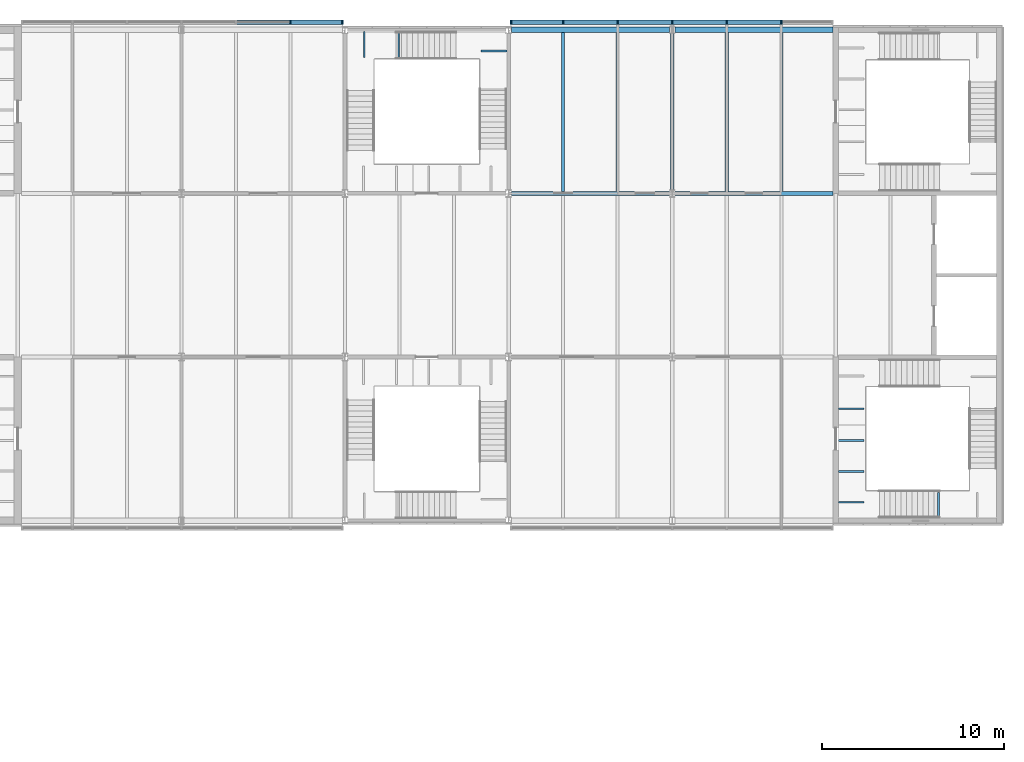
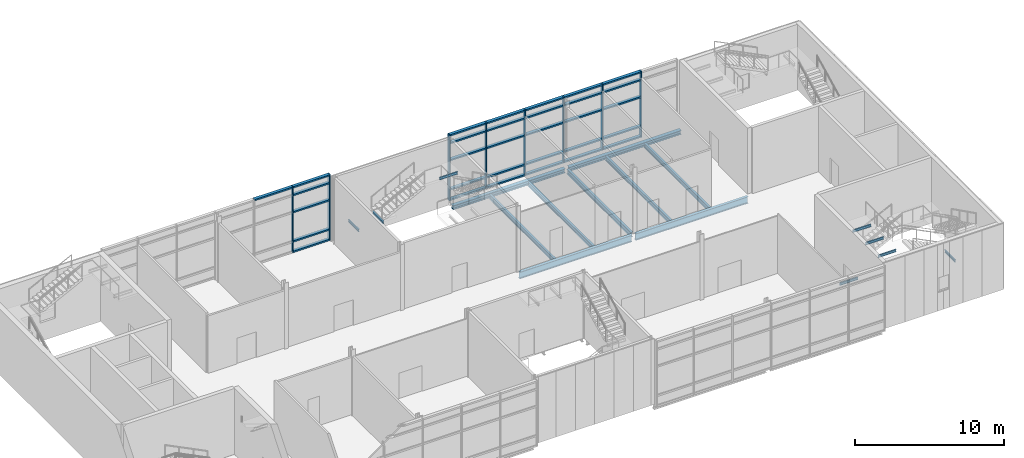
# One storey, part 27 of 56: 39 members, 17 beams, 2 elements without a shape of their own.
"""IFC4 building model written with IfcOpenShell, lengths in metres."""

import ifcopenshell
import ifcopenshell.guid

model = None  # the IFC model being written
_history = None  # IfcOwnerHistory: only IFC2X3 demands one
_inside = {}  # id of a spatial element -> (the spatial element, [elements in it])
_under = {}  # id of a project, library or spatial element -> (it, [spatial elements below it])
_declared = {}  # id of a project -> (the project, [libraries it declares])
_typed = {}  # id of a type object -> (the type object, [elements of that type])
_made_of = {}  # id of a material, layer set ... -> (it, [elements and type objects made of it])


def new_model(schema):
    """Start an empty IFC model of exactly this schema.

    Asked for "IFC4X3", IfcOpenShell would pick the latest addendum, in which some entities
    have other attributes; the version numbers below select the first issue.
    IFC2X3 requires an IfcOwnerHistory on every rooted entity: one is made here for all.
    """
    global model, _history
    if schema == "IFC4X3":
        model = ifcopenshell.file(schema_version=(4, 3, 0, 0))
    else:
        model = ifcopenshell.file(schema=schema)
    _inside.clear()
    _under.clear()
    _declared.clear()
    _typed.clear()
    _made_of.clear()
    _history = None
    if model.schema == "IFC2X3":
        org = make("IfcOrganization", Name="unknown")
        user = make(
            "IfcPersonAndOrganization",
            ThePerson=make("IfcPerson", FamilyName="unknown"),
            TheOrganization=org,
        )
        app = make(
            "IfcApplication",
            ApplicationDeveloper=org,
            Version="unknown",
            ApplicationFullName="unknown",
            ApplicationIdentifier="unknown",
        )
        _history = make(
            "IfcOwnerHistory",
            OwningUser=user,
            OwningApplication=app,
            ChangeAction="ADDED",
            CreationDate=0,
        )
    return model


def make(cls, **values):
    """One entity of the class cls with the attributes given. An attribute that is None is left unset."""
    return model.create_entity(
        cls, **{name: value for name, value in values.items() if value is not None}
    )


def rooted(cls, **values):
    """An entity with a GlobalId (a new one), such as an element, a storey or a relation."""
    return make(cls, GlobalId=ifcopenshell.guid.new(), OwnerHistory=_history, **values)


def si_unit(unit_type, name, prefix=None):
    """IfcSIUnit, for example si_unit("LENGTHUNIT", "METRE", prefix="MILLI")."""
    return make("IfcSIUnit", UnitType=unit_type, Prefix=prefix, Name=name)


def assignment(units):
    """IfcUnitAssignment: the units of a project."""
    return None if units is None else make("IfcUnitAssignment", Units=units)


def point(xyz):
    """IfcCartesianPoint."""
    return None if xyz is None else make("IfcCartesianPoint", Coordinates=xyz)


def direction(xyz):
    """IfcDirection."""
    return None if xyz is None else make("IfcDirection", DirectionRatios=xyz)


def frame(location, z_axis=None, x_axis=None):
    """IfcAxis2Placement3D, a coordinate frame: its origin and axes. An axis left out is left unset."""
    return make(
        "IfcAxis2Placement3D",
        Location=point(location),
        Axis=direction(z_axis),
        RefDirection=direction(x_axis),
    )


def frame_2d(location, x_axis=None):
    """IfcAxis2Placement2D, a coordinate frame in the plane: its origin and x axis."""
    return make(
        "IfcAxis2Placement2D", Location=point(location), RefDirection=direction(x_axis)
    )


def origin():
    """The frame at (0, 0, 0) with its axes left unset."""
    return frame((0.0, 0.0, 0.0))


def origin_2d():
    """The frame at (0, 0) in the plane with its x axis left unset."""
    return frame_2d((0.0, 0.0))


def place(relative_to, where):
    """IfcLocalPlacement: puts the frame where relative to a parent placement (None: the world)."""
    return make(
        "IfcLocalPlacement", PlacementRelTo=relative_to, RelativePlacement=where
    )


def context(
    kind, dimensions, precision=None, world=None, true_north=None, identifier=None
):
    """IfcGeometricRepresentationContext, for example the 3D "Model" context."""
    return make(
        "IfcGeometricRepresentationContext",
        ContextIdentifier=identifier,
        ContextType=kind,
        CoordinateSpaceDimension=dimensions,
        Precision=precision,
        WorldCoordinateSystem=world,
        TrueNorth=true_north,
    )


def subcontext(parent, identifier, kind, view, scale=None):
    """IfcGeometricRepresentationSubContext, for example "Body" below "Model"."""
    return make(
        "IfcGeometricRepresentationSubContext",
        ContextIdentifier=identifier,
        ContextType=kind,
        ParentContext=parent,
        TargetScale=scale,
        TargetView=view,
    )


def project(units=None, contexts=None):
    """IfcProject with its units and contexts."""
    return rooted(
        "IfcProject",
        Name="project",
        RepresentationContexts=contexts,
        UnitsInContext=assignment(units),
    )


def spatial(cls, under=None, at=None, **own):
    """A site, building, storey or space (cls), placed at a placement, below another one or the project."""
    s = rooted(cls, ObjectPlacement=at, **own)
    if under is not None:
        _under.setdefault(under.id(), (under, []))[1].append(s)
    return s


def profile(cls, at=None, kind="AREA", **sizes):
    """A parametric profile (cls). Its sizes go by their IFC names, for example OverallWidth=200.0."""
    return make(cls, ProfileType=kind, Position=at, **sizes)


def rectangle(**sizes):
    """IfcRectangleProfileDef."""
    return profile("IfcRectangleProfileDef", **sizes)


def i_section(**sizes):
    """IfcIShapeProfileDef."""
    return profile("IfcIShapeProfileDef", **sizes)


def extrude(swept, where, along, depth):
    """IfcExtrudedAreaSolid: the profile swept, set in the frame where, extruded along a direction by depth."""
    return make(
        "IfcExtrudedAreaSolid",
        SweptArea=swept,
        Position=where,
        ExtrudedDirection=direction(along),
        Depth=depth,
    )


def shape(context_of_items, identifier, shape_type, items):
    """IfcShapeRepresentation: the items that make up one representation, for example the "Body"."""
    return make(
        "IfcShapeRepresentation",
        ContextOfItems=context_of_items,
        RepresentationIdentifier=identifier,
        RepresentationType=shape_type,
        Items=items,
    )


def material(Name=None, Category=None):
    """IfcMaterial."""
    return make("IfcMaterial", Name=Name, Category=Category)


def material_profile(
    of_material, cross_section, Name=None, Category=None, Priority=None
):
    """IfcMaterialProfile: a cross section and its material."""
    return make(
        "IfcMaterialProfile",
        Name=Name,
        Material=of_material,
        Profile=cross_section,
        Priority=Priority,
        Category=Category,
    )


def profile_set(profiles, Name=None, composite=None):
    """IfcMaterialProfileSet."""
    return make(
        "IfcMaterialProfileSet",
        Name=Name,
        MaterialProfiles=profiles,
        CompositeProfile=composite,
    )


def made_of(thing, what):
    """Note that an element or type object is made of a material, layer set ...; save() writes the relation."""
    if what is not None:
        _made_of.setdefault(what.id(), (what, []))[1].append(thing)
    return thing


def type_object(cls, material=None, **own):
    """A type object (cls), such as IfcWallType, which elements share."""
    return made_of(rooted(cls, **own), material)


def element(
    cls,
    number,
    at=None,
    inside=None,
    cuts=None,
    type_object=None,
    material=None,
    context=None,
    identifier="Body",
    shape_type=None,
    held_by="IfcProductDefinitionShape",
    body=None,
    shapes=None,
    **own,
):
    """One element of the class cls, such as IfcWall. Its Tag is "e" and its number.

    at: its placement. inside: the storey or other place that contains it. cuts: it is an
    opening in that element (IfcRelVoidsElement). A single representation is given by context,
    identifier, shape_type and body (its items); several are given by shapes. held_by: the class
    of the entity that holds the representations. save() writes the other relations.
    """
    e = rooted(cls, Tag="e%d" % number, ObjectPlacement=at, **own)
    if body is not None:
        shapes = [shape(context, identifier, shape_type, body)]
    if shapes is not None:
        e.Representation = make(held_by, Representations=shapes)
    if inside is not None:
        _inside.setdefault(inside.id(), (inside, []))[1].append(e)
    if cuts is not None:
        rooted(
            "IfcRelVoidsElement", RelatingBuildingElement=cuts, RelatedOpeningElement=e
        )
    if type_object is not None:
        _typed.setdefault(type_object.id(), (type_object, []))[1].append(e)
    return made_of(e, material)


def aggregate(whole, parts):
    """IfcRelAggregates: a whole, such as a stair, and the parts it consists of."""
    return rooted("IfcRelAggregates", RelatingObject=whole, RelatedObjects=parts)


def save(model, path):
    """Write the relations noted so far, then the file.

    IfcRelAggregates (storeys below a building ...), IfcRelContainedInSpatialStructure (elements
    in a storey), IfcRelDefinesByType, IfcRelAssociatesMaterial and IfcRelDeclares: one each for
    every whole, place, type object, material and project.
    """
    for whole, parts in _under.values():
        aggregate(whole, parts)
    for where, things in _inside.values():
        rooted(
            "IfcRelContainedInSpatialStructure",
            RelatedElements=things,
            RelatingStructure=where,
        )
    for kind, things in _typed.values():
        rooted("IfcRelDefinesByType", RelatedObjects=things, RelatingType=kind)
    for what, things in _made_of.values():
        rooted("IfcRelAssociatesMaterial", RelatedObjects=things, RelatingMaterial=what)
    for by, libraries in _declared.values():
        rooted("IfcRelDeclares", RelatingContext=by, RelatedDefinitions=libraries)
    model.write(path)


model = new_model("IFC4")

# Units and contexts
model_context = context("Model", 3, precision=1e-05, world=origin(), true_north=direction((0.0, 1.0)))
body_context = subcontext(model_context, "Body", "Model", "MODEL_VIEW")
ifc_project = project(units=[si_unit("LENGTHUNIT", "METRE"), si_unit("AREAUNIT", "SQUARE_METRE"), si_unit("VOLUMEUNIT", "CUBIC_METRE"), si_unit("PLANEANGLEUNIT", "RADIAN"), si_unit("MASSUNIT", "GRAM", prefix="KILO")], contexts=[model_context])

# Site, building, storey
site_placement = place(None, origin())
site = spatial("IfcSite", under=ifc_project, at=site_placement, CompositionType="ELEMENT")
building_placement = place(site_placement, origin())
building = spatial("IfcBuilding", under=site, at=building_placement, Name="Azimuth Sports and Learning Centre", CompositionType="ELEMENT")
storey_placement = place(building_placement, frame((0.0, 0.0, 5.39990234375)))
storey = spatial("IfcBuildingStorey", under=building, at=storey_placement, Name="L01", CompositionType="ELEMENT", Elevation=5.39990234375)

# Beams
ifc_material_1 = material(Name="Steel S355", Category="steel")
ifc_material_profile_1 = material_profile(ifc_material_1, i_section(OverallWidth=0.10009765625, OverallDepth=0.199951171875, WebThickness=0.005615234375, FlangeThickness=0.008544921875, FilletRadius=0.011962890625, at=origin_2d()), Name="IPE 200")
ifc_profile_set_1 = profile_set([ifc_material_profile_1], Name="Steel S355")
beam_type_1 = type_object("IfcBeamType", Name="Beam IPE 200", PredefinedType="BEAM", material=ifc_profile_set_1)
for number, where, z_axis, x_axis, name in (
    (1, (162.14990234375, 96.15380859375, -0.2998046875), (1.0, 0.0, 0.0), (0.0, 1.0, 0.0), "Landing bracket EW1 L01 788"),
    (2, (167.652587890625, 90.14990234375, 3.300048828125), (0.0, 1.0, 0.0), (-1.0, 0.0, 0.0), "Landing bracket EW1 L01 792"),
    (3, (162.14990234375, 91.00830078125, 5.10009765625), (1.0, 0.0, 0.0), (0.0, 1.0, 0.0), "Landing bracket EW1 L01 794"),
    (4, (162.14990234375, 92.705078125, 5.10009765625), (1.0, 0.0, 0.0), (0.0, 1.0, 0.0), "Landing bracket EW1 L01 795"),
    (5, (162.14990234375, 94.401611328125, 5.10009765625), (1.0, 0.0, 0.0), (0.0, 1.0, 0.0), "Landing bracket EW1 L01 796"),
):
    element("IfcBeam", number, at=place(storey_placement, frame(where, z_axis=z_axis, x_axis=x_axis)), inside=storey, type_object=beam_type_1, Name=name, PredefinedType="BEAM", context=body_context, shape_type="SweptSolid", body=[
        extrude(i_section(OverallWidth=0.10009765625, OverallDepth=0.199951171875, WebThickness=0.005615234375, FlangeThickness=0.008544921875, FilletRadius=0.011962890625, at=origin_2d()), origin(), (0.0, 0.0, 1.0), 1.41015625),
    ])
for number, where, z_axis, x_axis, name in (
    (6, (136.06005859375, 116.89990234375, 1.5), (0.0, -1.0, 0.0), (1.0, 0.0, 0.0), "Landing bracket EM2 L01 960"),
    (7, (137.9599609375, 116.89990234375, 1.5), (0.0, -1.0, 0.0), (1.0, 0.0, 0.0), "Landing bracket EM2 L01 961"),
    (8, (143.89990234375, 115.827392578125, 3.300048828125), (-1.0, 0.0, 0.0), (0.0, -1.0, 0.0), "Landing bracket EM2 L01 963"),
):
    element("IfcBeam", number, at=place(storey_placement, frame(where, z_axis=z_axis, x_axis=x_axis)), inside=storey, type_object=beam_type_1, Name=name, PredefinedType="BEAM", context=body_context, shape_type="SweptSolid", body=[
        extrude(i_section(OverallWidth=0.10009765625, OverallDepth=0.199951171875, WebThickness=0.005615234375, FlangeThickness=0.008544921875, FilletRadius=0.011962890625, at=origin_2d()), origin(), (0.0, 0.0, 1.0), 1.409912109375),
    ])
ifc_material_2 = material(Name="Steel S355", Category="steel")
ifc_material_profile_2 = material_profile(ifc_material_2, i_section(OverallWidth=0.179931640625, OverallDepth=0.39990234375, WebThickness=0.008544921875, FlangeThickness=0.013427734375, FilletRadius=0.02099609375, at=origin_2d()), Name="IPE 400")
ifc_profile_set_2 = profile_set([ifc_material_profile_2], Name="Steel S355")
beam_type_2 = type_object("IfcBeamType", Name="Beam IPE 400", PredefinedType="BEAM", material=ifc_profile_set_2)
beam_placement = place(storey_placement, frame((153.0, 108.199951171875, -0.349853515625), z_axis=(0.0, 1.0, 0.0), x_axis=(-1.0, 0.0, 0.0)))
element("IfcBeam", 9, at=beam_placement, inside=storey, type_object=beam_type_2, Name="Beam L01 WE 25", PredefinedType="BEAM", context=body_context, shape_type="SweptSolid", body=[
    extrude(i_section(OverallWidth=0.179931640625, OverallDepth=0.39990234375, WebThickness=0.008544921875, FlangeThickness=0.013427734375, FilletRadius=0.02099609375, at=origin_2d()), origin(), (0.0, 0.0, 1.0), 8.60009765625),
])
ifc_material_3 = material(Name="Steel S355", Category="steel")
ifc_material_profile_3 = material_profile(ifc_material_3, i_section(OverallWidth=0.2099609375, OverallDepth=0.550048828125, WebThickness=0.010986328125, FlangeThickness=0.01708984375, FilletRadius=0.02392578125, at=origin_2d()), Name="IPE 550")
ifc_profile_set_3 = profile_set([ifc_material_profile_3], Name="Steel S355")
beam_type_3 = type_object("IfcBeamType", Name="Beam IPE 550", PredefinedType="BEAM", material=ifc_profile_set_3)
for number, where, z_axis, x_axis, name in (
    (10, (144.14990234375, 108.0, -0.4248046875), (1.0, 0.0, 0.0), (0.0, 1.0, 0.0), "Beam L01 WE 11"),
    (11, (153.14990234375, 108.0, -0.4248046875), (1.0, 0.0, 0.0), (0.0, 1.0, 0.0), "Beam L01 WE 12"),
):
    element("IfcBeam", number, at=place(storey_placement, frame(where, z_axis=z_axis, x_axis=x_axis)), inside=storey, type_object=beam_type_3, Name=name, PredefinedType="BEAM", context=body_context, shape_type="SweptSolid", body=[
        extrude(i_section(OverallWidth=0.2099609375, OverallDepth=0.550048828125, WebThickness=0.010986328125, FlangeThickness=0.01708984375, FilletRadius=0.02392578125, at=origin_2d()), origin(), (0.0, 0.0, 1.0), 8.7001953125),
    ])
ifc_material_4 = material(Name="Steel S355", Category="steel")
ifc_material_profile_4 = material_profile(ifc_material_4, i_section(OverallWidth=0.300048828125, OverallDepth=0.330078125, WebThickness=0.009521484375, FlangeThickness=0.0166015625, FilletRadius=0.027099609375, at=origin_2d()), Name="HEA 340")
ifc_profile_set_4 = profile_set([ifc_material_profile_4], Name="Steel S355")
beam_type_4 = type_object("IfcBeamType", Name="Edge beam HEA 340", PredefinedType="SPANDREL", material=ifc_profile_set_4)
for number, where, z_axis, x_axis, name in (
    (12, (144.14990234375, 117.0, -0.31494140625), (1.0, 0.0, 0.0), (0.0, 1.0, 0.0), "Edge beam L01 WE 15"),
    (13, (153.14990234375, 117.0, -0.31494140625), (1.0, 0.0, 0.0), (0.0, 1.0, 0.0), "Edge beam L01 WE 16"),
):
    element("IfcBeam", number, at=place(storey_placement, frame(where, z_axis=z_axis, x_axis=x_axis)), inside=storey, type_object=beam_type_4, Name=name, PredefinedType="SPANDREL", context=body_context, shape_type="SweptSolid", body=[
        extrude(i_section(OverallWidth=0.300048828125, OverallDepth=0.330078125, WebThickness=0.009521484375, FlangeThickness=0.0166015625, FilletRadius=0.027099609375, at=origin_2d()), origin(), (0.0, 0.0, 1.0), 8.7001953125),
    ])
ifc_material_5 = material(Name="Steel S355", Category="steel")
ifc_material_profile_5 = material_profile(ifc_material_5, i_section(OverallWidth=0.169921875, OverallDepth=0.360107421875, WebThickness=0.008056640625, FlangeThickness=0.0126953125, FilletRadius=0.01806640625, at=origin_2d()), Name="IPE 360")
ifc_profile_set_5 = profile_set([ifc_material_profile_5], Name="Steel S355")
beam_type_5 = type_object("IfcBeamType", Name="Joist IPE 360", PredefinedType="JOIST", material=ifc_profile_set_5)
for number, where, z_axis, x_axis, name in (
    (14, (147.0, 108.10498046875, -0.329833984375), (0.0, 1.0, 0.0), (-1.0, 0.0, 0.0), "Joist L01 WE 43"),
    (15, (150.0, 108.10498046875, -0.329833984375), (0.0, 1.0, 0.0), (-1.0, 0.0, 0.0), "Joist L01 WE 46"),
    (16, (156.0, 108.10498046875, -0.329833984375), (0.0, 1.0, 0.0), (-1.0, 0.0, 0.0), "Joist L01 WE 49"),
    (17, (159.0, 108.10498046875, -0.329833984375), (0.0, 1.0, 0.0), (-1.0, 0.0, 0.0), "Joist L01 WE 52"),
):
    element("IfcBeam", number, at=place(storey_placement, frame(where, z_axis=z_axis, x_axis=x_axis)), inside=storey, type_object=beam_type_5, Name=name, PredefinedType="JOIST", context=body_context, shape_type="SweptSolid", body=[
        extrude(i_section(OverallWidth=0.169921875, OverallDepth=0.360107421875, WebThickness=0.008056640625, FlangeThickness=0.0126953125, FilletRadius=0.01806640625, at=origin_2d()), origin(), (0.0, 0.0, 1.0), 8.7451171875),
    ])

# Curtain wall, members
ifc_material_6 = material(Name="Aluminium and glass", Category="aluminium")
curtain_wall_type = type_object("IfcCurtainWallType", Name="Curtain wall podium wing 240", PredefinedType="NOTDEFINED", material=ifc_material_6)
curtain_wall_1_placement = place(storey_placement, origin())
curtain_wall_1 = element("IfcCurtainWall", 18, at=curtain_wall_1_placement, inside=storey, type_object=curtain_wall_type, Name="Curtain wall CW01-011", PredefinedType="NOTDEFINED")
ifc_material_7 = material(Name="Aluminium", Category="aluminium")
ifc_material_profile_6 = material_profile(ifc_material_7, rectangle(XDim=0.239990234375, YDim=0.080078125, at=origin_2d()), Name="Mullion 80x240")
ifc_profile_set_6 = profile_set([ifc_material_profile_6], Name="Aluminium")
member_type_1 = type_object("IfcMemberType", Name="Mullion 80x240", PredefinedType="MULLION", material=ifc_profile_set_6)
member_1_placement = place(storey_placement, frame((159.0, 117.419921875, 0.0), z_axis=(0.0, 0.0, 1.0), x_axis=(0.0, -1.0, 0.0)))
member_1 = element("IfcMember", 19, at=member_1_placement, type_object=member_type_1, Name="CW01-011 mullion 2", PredefinedType="MULLION", context=body_context, shape_type="SweptSolid", body=[
    extrude(rectangle(XDim=0.239990234375, YDim=0.080078125, at=origin_2d()), origin(), (0.0, 0.0, 1.0), 5.400146484375),
])
member_2_placement = place(storey_placement, frame((156.0, 117.419921875, 0.0), z_axis=(0.0, 0.0, 1.0), x_axis=(0.0, -1.0, 0.0)))
member_2 = element("IfcMember", 20, at=member_2_placement, type_object=member_type_1, Name="CW01-011 mullion 3", PredefinedType="MULLION", context=body_context, shape_type="SweptSolid", body=[
    extrude(rectangle(XDim=0.239990234375, YDim=0.080078125, at=origin_2d()), origin(), (0.0, 0.0, 1.0), 5.400146484375),
])
member_3_placement = place(storey_placement, frame((153.0, 117.419921875, 0.0), z_axis=(0.0, 0.0, 1.0), x_axis=(0.0, -1.0, 0.0)))
member_3 = element("IfcMember", 21, at=member_3_placement, type_object=member_type_1, Name="CW01-011 mullion 4", PredefinedType="MULLION", context=body_context, shape_type="SweptSolid", body=[
    extrude(rectangle(XDim=0.239990234375, YDim=0.080078125, at=origin_2d()), origin(), (0.0, 0.0, 1.0), 5.400146484375),
])
member_4_placement = place(storey_placement, frame((150.0, 117.419921875, 0.0), z_axis=(0.0, 0.0, 1.0), x_axis=(0.0, -1.0, 0.0)))
member_4 = element("IfcMember", 22, at=member_4_placement, type_object=member_type_1, Name="CW01-011 mullion 5", PredefinedType="MULLION", context=body_context, shape_type="SweptSolid", body=[
    extrude(rectangle(XDim=0.239990234375, YDim=0.080078125, at=origin_2d()), origin(), (0.0, 0.0, 1.0), 5.400146484375),
])
member_5_placement = place(storey_placement, frame((147.0, 117.419921875, 0.0), z_axis=(0.0, 0.0, 1.0), x_axis=(0.0, -1.0, 0.0)))
member_5 = element("IfcMember", 23, at=member_5_placement, type_object=member_type_1, Name="CW01-011 mullion 6", PredefinedType="MULLION", context=body_context, shape_type="SweptSolid", body=[
    extrude(rectangle(XDim=0.239990234375, YDim=0.080078125, at=origin_2d()), origin(), (0.0, 0.0, 1.0), 5.400146484375),
])
member_6_placement = place(storey_placement, frame((144.139892578125, 117.419921875, 0.0), z_axis=(0.0, 0.0, 1.0), x_axis=(0.0, -1.0, 0.0)))
member_6 = element("IfcMember", 24, at=member_6_placement, type_object=member_type_1, Name="CW01-011 mullion 7", PredefinedType="MULLION", context=body_context, shape_type="SweptSolid", body=[
    extrude(rectangle(XDim=0.239990234375, YDim=0.080078125, at=origin_2d()), origin(), (0.0, 0.0, 1.0), 5.400146484375),
])

curtain_wall_2_placement = place(storey_placement, origin())
curtain_wall_2 = element("IfcCurtainWall", 25, at=curtain_wall_2_placement, inside=storey, type_object=curtain_wall_type, Name="Curtain wall CW01-012", PredefinedType="NOTDEFINED")
member_7_placement = place(storey_placement, frame((134.860107421875, 117.419921875, 0.0), z_axis=(0.0, 0.0, 1.0), x_axis=(0.0, -1.0, 0.0)))
member_7 = element("IfcMember", 26, at=member_7_placement, type_object=member_type_1, Name="CW01-012 mullion 1", PredefinedType="MULLION", context=body_context, shape_type="SweptSolid", body=[
    extrude(rectangle(XDim=0.239990234375, YDim=0.080078125, at=origin_2d()), origin(), (0.0, 0.0, 1.0), 5.400146484375),
])
member_8_placement = place(storey_placement, frame((132.0, 117.419921875, 0.0), z_axis=(0.0, 0.0, 1.0), x_axis=(0.0, -1.0, 0.0)))
member_8 = element("IfcMember", 27, at=member_8_placement, type_object=member_type_1, Name="CW01-012 mullion 2", PredefinedType="MULLION", context=body_context, shape_type="SweptSolid", body=[
    extrude(rectangle(XDim=0.239990234375, YDim=0.080078125, at=origin_2d()), origin(), (0.0, 0.0, 1.0), 5.400146484375),
])

# Member
ifc_material_8 = material(Name="Aluminium", Category="aluminium")
ifc_material_profile_7 = material_profile(ifc_material_8, rectangle(XDim=0.239990234375, YDim=0.1201171875, at=origin_2d()), Name="Transom 120x240")
ifc_profile_set_7 = profile_set([ifc_material_profile_7], Name="Aluminium")
member_type_2 = type_object("IfcMemberType", Name="Transom 120x240", PredefinedType="USERDEFINED", material=ifc_profile_set_7)
member_9_placement = place(storey_placement, frame((158.9599609375, 117.419921875, 0.06005859375), z_axis=(-1.0, 0.0, 0.0), x_axis=(0.0, -1.0, 0.0)))
member_9 = element("IfcMember", 28, at=member_9_placement, type_object=member_type_2, Name="CW01-011 transom 2.1", ObjectType="TRANSOM", PredefinedType="USERDEFINED", context=body_context, shape_type="SweptSolid", body=[
    extrude(rectangle(XDim=0.239990234375, YDim=0.1201171875, at=origin_2d()), origin(), (0.0, 0.0, 1.0), 2.919921875),
])

member_10_placement = place(storey_placement, frame((158.9599609375, 117.419921875, 0.900146484375), z_axis=(-1.0, 0.0, 0.0), x_axis=(0.0, -1.0, 0.0)))
member_10 = element("IfcMember", 29, at=member_10_placement, type_object=member_type_2, Name="CW01-011 transom 2.2", ObjectType="TRANSOM", PredefinedType="USERDEFINED", context=body_context, shape_type="SweptSolid", body=[
    extrude(rectangle(XDim=0.239990234375, YDim=0.1201171875, at=origin_2d()), origin(), (0.0, 0.0, 1.0), 2.919921875),
])

member_11_placement = place(storey_placement, frame((158.9599609375, 117.419921875, 3.300048828125), z_axis=(-1.0, 0.0, 0.0), x_axis=(0.0, -1.0, 0.0)))
member_11 = element("IfcMember", 30, at=member_11_placement, type_object=member_type_2, Name="CW01-011 transom 2.3", ObjectType="TRANSOM", PredefinedType="USERDEFINED", context=body_context, shape_type="SweptSolid", body=[
    extrude(rectangle(XDim=0.239990234375, YDim=0.1201171875, at=origin_2d()), origin(), (0.0, 0.0, 1.0), 2.919921875),
])

member_12_placement = place(storey_placement, frame((158.9599609375, 117.419921875, 4.7001953125), z_axis=(-1.0, 0.0, 0.0), x_axis=(0.0, -1.0, 0.0)))
member_12 = element("IfcMember", 31, at=member_12_placement, type_object=member_type_2, Name="CW01-011 transom 2.4", ObjectType="TRANSOM", PredefinedType="USERDEFINED", context=body_context, shape_type="SweptSolid", body=[
    extrude(rectangle(XDim=0.239990234375, YDim=0.1201171875, at=origin_2d()), origin(), (0.0, 0.0, 1.0), 2.919921875),
])

member_13_placement = place(storey_placement, frame((158.9599609375, 117.419921875, 5.340087890625), z_axis=(-1.0, 0.0, 0.0), x_axis=(0.0, -1.0, 0.0)))
member_13 = element("IfcMember", 32, at=member_13_placement, type_object=member_type_2, Name="CW01-011 transom 2.5", ObjectType="TRANSOM", PredefinedType="USERDEFINED", context=body_context, shape_type="SweptSolid", body=[
    extrude(rectangle(XDim=0.239990234375, YDim=0.1201171875, at=origin_2d()), origin(), (0.0, 0.0, 1.0), 2.919921875),
])

member_14_placement = place(storey_placement, frame((155.9599609375, 117.419921875, 0.06005859375), z_axis=(-1.0, 0.0, 0.0), x_axis=(0.0, -1.0, 0.0)))
member_14 = element("IfcMember", 33, at=member_14_placement, type_object=member_type_2, Name="CW01-011 transom 3.1", ObjectType="TRANSOM", PredefinedType="USERDEFINED", context=body_context, shape_type="SweptSolid", body=[
    extrude(rectangle(XDim=0.239990234375, YDim=0.1201171875, at=origin_2d()), origin(), (0.0, 0.0, 1.0), 2.919921875),
])

member_15_placement = place(storey_placement, frame((155.9599609375, 117.419921875, 0.900146484375), z_axis=(-1.0, 0.0, 0.0), x_axis=(0.0, -1.0, 0.0)))
member_15 = element("IfcMember", 34, at=member_15_placement, type_object=member_type_2, Name="CW01-011 transom 3.2", ObjectType="TRANSOM", PredefinedType="USERDEFINED", context=body_context, shape_type="SweptSolid", body=[
    extrude(rectangle(XDim=0.239990234375, YDim=0.1201171875, at=origin_2d()), origin(), (0.0, 0.0, 1.0), 2.919921875),
])

member_16_placement = place(storey_placement, frame((155.9599609375, 117.419921875, 3.300048828125), z_axis=(-1.0, 0.0, 0.0), x_axis=(0.0, -1.0, 0.0)))
member_16 = element("IfcMember", 35, at=member_16_placement, type_object=member_type_2, Name="CW01-011 transom 3.3", ObjectType="TRANSOM", PredefinedType="USERDEFINED", context=body_context, shape_type="SweptSolid", body=[
    extrude(rectangle(XDim=0.239990234375, YDim=0.1201171875, at=origin_2d()), origin(), (0.0, 0.0, 1.0), 2.919921875),
])

member_17_placement = place(storey_placement, frame((155.9599609375, 117.419921875, 4.7001953125), z_axis=(-1.0, 0.0, 0.0), x_axis=(0.0, -1.0, 0.0)))
member_17 = element("IfcMember", 36, at=member_17_placement, type_object=member_type_2, Name="CW01-011 transom 3.4", ObjectType="TRANSOM", PredefinedType="USERDEFINED", context=body_context, shape_type="SweptSolid", body=[
    extrude(rectangle(XDim=0.239990234375, YDim=0.1201171875, at=origin_2d()), origin(), (0.0, 0.0, 1.0), 2.919921875),
])

member_18_placement = place(storey_placement, frame((155.9599609375, 117.419921875, 5.340087890625), z_axis=(-1.0, 0.0, 0.0), x_axis=(0.0, -1.0, 0.0)))
member_18 = element("IfcMember", 37, at=member_18_placement, type_object=member_type_2, Name="CW01-011 transom 3.5", ObjectType="TRANSOM", PredefinedType="USERDEFINED", context=body_context, shape_type="SweptSolid", body=[
    extrude(rectangle(XDim=0.239990234375, YDim=0.1201171875, at=origin_2d()), origin(), (0.0, 0.0, 1.0), 2.919921875),
])

member_19_placement = place(storey_placement, frame((152.9599609375, 117.419921875, 0.06005859375), z_axis=(-1.0, 0.0, 0.0), x_axis=(0.0, -1.0, 0.0)))
member_19 = element("IfcMember", 38, at=member_19_placement, type_object=member_type_2, Name="CW01-011 transom 4.1", ObjectType="TRANSOM", PredefinedType="USERDEFINED", context=body_context, shape_type="SweptSolid", body=[
    extrude(rectangle(XDim=0.239990234375, YDim=0.1201171875, at=origin_2d()), origin(), (0.0, 0.0, 1.0), 2.919921875),
])

member_20_placement = place(storey_placement, frame((152.9599609375, 117.419921875, 0.900146484375), z_axis=(-1.0, 0.0, 0.0), x_axis=(0.0, -1.0, 0.0)))
member_20 = element("IfcMember", 39, at=member_20_placement, type_object=member_type_2, Name="CW01-011 transom 4.2", ObjectType="TRANSOM", PredefinedType="USERDEFINED", context=body_context, shape_type="SweptSolid", body=[
    extrude(rectangle(XDim=0.239990234375, YDim=0.1201171875, at=origin_2d()), origin(), (0.0, 0.0, 1.0), 2.919921875),
])

member_21_placement = place(storey_placement, frame((152.9599609375, 117.419921875, 3.300048828125), z_axis=(-1.0, 0.0, 0.0), x_axis=(0.0, -1.0, 0.0)))
member_21 = element("IfcMember", 40, at=member_21_placement, type_object=member_type_2, Name="CW01-011 transom 4.3", ObjectType="TRANSOM", PredefinedType="USERDEFINED", context=body_context, shape_type="SweptSolid", body=[
    extrude(rectangle(XDim=0.239990234375, YDim=0.1201171875, at=origin_2d()), origin(), (0.0, 0.0, 1.0), 2.919921875),
])

member_22_placement = place(storey_placement, frame((152.9599609375, 117.419921875, 4.7001953125), z_axis=(-1.0, 0.0, 0.0), x_axis=(0.0, -1.0, 0.0)))
member_22 = element("IfcMember", 41, at=member_22_placement, type_object=member_type_2, Name="CW01-011 transom 4.4", ObjectType="TRANSOM", PredefinedType="USERDEFINED", context=body_context, shape_type="SweptSolid", body=[
    extrude(rectangle(XDim=0.239990234375, YDim=0.1201171875, at=origin_2d()), origin(), (0.0, 0.0, 1.0), 2.919921875),
])

member_23_placement = place(storey_placement, frame((152.9599609375, 117.419921875, 5.340087890625), z_axis=(-1.0, 0.0, 0.0), x_axis=(0.0, -1.0, 0.0)))
member_23 = element("IfcMember", 42, at=member_23_placement, type_object=member_type_2, Name="CW01-011 transom 4.5", ObjectType="TRANSOM", PredefinedType="USERDEFINED", context=body_context, shape_type="SweptSolid", body=[
    extrude(rectangle(XDim=0.239990234375, YDim=0.1201171875, at=origin_2d()), origin(), (0.0, 0.0, 1.0), 2.919921875),
])

member_24_placement = place(storey_placement, frame((149.9599609375, 117.419921875, 0.06005859375), z_axis=(-1.0, 0.0, 0.0), x_axis=(0.0, -1.0, 0.0)))
member_24 = element("IfcMember", 43, at=member_24_placement, type_object=member_type_2, Name="CW01-011 transom 5.1", ObjectType="TRANSOM", PredefinedType="USERDEFINED", context=body_context, shape_type="SweptSolid", body=[
    extrude(rectangle(XDim=0.239990234375, YDim=0.1201171875, at=origin_2d()), origin(), (0.0, 0.0, 1.0), 2.919921875),
])

member_25_placement = place(storey_placement, frame((149.9599609375, 117.419921875, 0.900146484375), z_axis=(-1.0, 0.0, 0.0), x_axis=(0.0, -1.0, 0.0)))
member_25 = element("IfcMember", 44, at=member_25_placement, type_object=member_type_2, Name="CW01-011 transom 5.2", ObjectType="TRANSOM", PredefinedType="USERDEFINED", context=body_context, shape_type="SweptSolid", body=[
    extrude(rectangle(XDim=0.239990234375, YDim=0.1201171875, at=origin_2d()), origin(), (0.0, 0.0, 1.0), 2.919921875),
])

member_26_placement = place(storey_placement, frame((149.9599609375, 117.419921875, 3.300048828125), z_axis=(-1.0, 0.0, 0.0), x_axis=(0.0, -1.0, 0.0)))
member_26 = element("IfcMember", 45, at=member_26_placement, type_object=member_type_2, Name="CW01-011 transom 5.3", ObjectType="TRANSOM", PredefinedType="USERDEFINED", context=body_context, shape_type="SweptSolid", body=[
    extrude(rectangle(XDim=0.239990234375, YDim=0.1201171875, at=origin_2d()), origin(), (0.0, 0.0, 1.0), 2.919921875),
])

member_27_placement = place(storey_placement, frame((149.9599609375, 117.419921875, 4.7001953125), z_axis=(-1.0, 0.0, 0.0), x_axis=(0.0, -1.0, 0.0)))
member_27 = element("IfcMember", 46, at=member_27_placement, type_object=member_type_2, Name="CW01-011 transom 5.4", ObjectType="TRANSOM", PredefinedType="USERDEFINED", context=body_context, shape_type="SweptSolid", body=[
    extrude(rectangle(XDim=0.239990234375, YDim=0.1201171875, at=origin_2d()), origin(), (0.0, 0.0, 1.0), 2.919921875),
])

member_28_placement = place(storey_placement, frame((149.9599609375, 117.419921875, 5.340087890625), z_axis=(-1.0, 0.0, 0.0), x_axis=(0.0, -1.0, 0.0)))
member_28 = element("IfcMember", 47, at=member_28_placement, type_object=member_type_2, Name="CW01-011 transom 5.5", ObjectType="TRANSOM", PredefinedType="USERDEFINED", context=body_context, shape_type="SweptSolid", body=[
    extrude(rectangle(XDim=0.239990234375, YDim=0.1201171875, at=origin_2d()), origin(), (0.0, 0.0, 1.0), 2.919921875),
])

member_29_placement = place(storey_placement, frame((146.9599609375, 117.419921875, 0.06005859375), z_axis=(-1.0, 0.0, 0.0), x_axis=(0.0, -1.0, 0.0)))
member_29 = element("IfcMember", 48, at=member_29_placement, type_object=member_type_2, Name="CW01-011 transom 6.1", ObjectType="TRANSOM", PredefinedType="USERDEFINED", context=body_context, shape_type="SweptSolid", body=[
    extrude(rectangle(XDim=0.239990234375, YDim=0.1201171875, at=origin_2d()), origin(), (0.0, 0.0, 1.0), 2.780029296875),
])

member_30_placement = place(storey_placement, frame((146.9599609375, 117.419921875, 0.900146484375), z_axis=(-1.0, 0.0, 0.0), x_axis=(0.0, -1.0, 0.0)))
member_30 = element("IfcMember", 49, at=member_30_placement, type_object=member_type_2, Name="CW01-011 transom 6.2", ObjectType="TRANSOM", PredefinedType="USERDEFINED", context=body_context, shape_type="SweptSolid", body=[
    extrude(rectangle(XDim=0.239990234375, YDim=0.1201171875, at=origin_2d()), origin(), (0.0, 0.0, 1.0), 2.780029296875),
])

member_31_placement = place(storey_placement, frame((146.9599609375, 117.419921875, 3.300048828125), z_axis=(-1.0, 0.0, 0.0), x_axis=(0.0, -1.0, 0.0)))
member_31 = element("IfcMember", 50, at=member_31_placement, type_object=member_type_2, Name="CW01-011 transom 6.3", ObjectType="TRANSOM", PredefinedType="USERDEFINED", context=body_context, shape_type="SweptSolid", body=[
    extrude(rectangle(XDim=0.239990234375, YDim=0.1201171875, at=origin_2d()), origin(), (0.0, 0.0, 1.0), 2.780029296875),
])

member_32_placement = place(storey_placement, frame((146.9599609375, 117.419921875, 4.7001953125), z_axis=(-1.0, 0.0, 0.0), x_axis=(0.0, -1.0, 0.0)))
member_32 = element("IfcMember", 51, at=member_32_placement, type_object=member_type_2, Name="CW01-011 transom 6.4", ObjectType="TRANSOM", PredefinedType="USERDEFINED", context=body_context, shape_type="SweptSolid", body=[
    extrude(rectangle(XDim=0.239990234375, YDim=0.1201171875, at=origin_2d()), origin(), (0.0, 0.0, 1.0), 2.780029296875),
])

member_33_placement = place(storey_placement, frame((146.9599609375, 117.419921875, 5.340087890625), z_axis=(-1.0, 0.0, 0.0), x_axis=(0.0, -1.0, 0.0)))
member_33 = element("IfcMember", 52, at=member_33_placement, type_object=member_type_2, Name="CW01-011 transom 6.5", ObjectType="TRANSOM", PredefinedType="USERDEFINED", context=body_context, shape_type="SweptSolid", body=[
    extrude(rectangle(XDim=0.239990234375, YDim=0.1201171875, at=origin_2d()), origin(), (0.0, 0.0, 1.0), 2.780029296875),
])

aggregate(curtain_wall_1, [member_1, member_2, member_3, member_4, member_5, member_6, member_9, member_10, member_11, member_12, member_13, member_14, member_15, member_16, member_17, member_18, member_19, member_20, member_21, member_22, member_23, member_24, member_25, member_26, member_27, member_28, member_29, member_30, member_31, member_32, member_33])

member_34_placement = place(storey_placement, frame((134.820068359375, 117.419921875, 0.06005859375), z_axis=(-1.0, 0.0, 0.0), x_axis=(0.0, -1.0, 0.0)))
member_34 = element("IfcMember", 53, at=member_34_placement, type_object=member_type_2, Name="CW01-012 transom 1.1", ObjectType="TRANSOM", PredefinedType="USERDEFINED", context=body_context, shape_type="SweptSolid", body=[
    extrude(rectangle(XDim=0.239990234375, YDim=0.1201171875, at=origin_2d()), origin(), (0.0, 0.0, 1.0), 2.780029296875),
])

member_35_placement = place(storey_placement, frame((134.820068359375, 117.419921875, 0.900146484375), z_axis=(-1.0, 0.0, 0.0), x_axis=(0.0, -1.0, 0.0)))
member_35 = element("IfcMember", 54, at=member_35_placement, type_object=member_type_2, Name="CW01-012 transom 1.2", ObjectType="TRANSOM", PredefinedType="USERDEFINED", context=body_context, shape_type="SweptSolid", body=[
    extrude(rectangle(XDim=0.239990234375, YDim=0.1201171875, at=origin_2d()), origin(), (0.0, 0.0, 1.0), 2.780029296875),
])

member_36_placement = place(storey_placement, frame((134.820068359375, 117.419921875, 3.300048828125), z_axis=(-1.0, 0.0, 0.0), x_axis=(0.0, -1.0, 0.0)))
member_36 = element("IfcMember", 55, at=member_36_placement, type_object=member_type_2, Name="CW01-012 transom 1.3", ObjectType="TRANSOM", PredefinedType="USERDEFINED", context=body_context, shape_type="SweptSolid", body=[
    extrude(rectangle(XDim=0.239990234375, YDim=0.1201171875, at=origin_2d()), origin(), (0.0, 0.0, 1.0), 2.780029296875),
])

member_37_placement = place(storey_placement, frame((134.820068359375, 117.419921875, 4.7001953125), z_axis=(-1.0, 0.0, 0.0), x_axis=(0.0, -1.0, 0.0)))
member_37 = element("IfcMember", 56, at=member_37_placement, type_object=member_type_2, Name="CW01-012 transom 1.4", ObjectType="TRANSOM", PredefinedType="USERDEFINED", context=body_context, shape_type="SweptSolid", body=[
    extrude(rectangle(XDim=0.239990234375, YDim=0.1201171875, at=origin_2d()), origin(), (0.0, 0.0, 1.0), 2.780029296875),
])

member_38_placement = place(storey_placement, frame((134.820068359375, 117.419921875, 5.340087890625), z_axis=(-1.0, 0.0, 0.0), x_axis=(0.0, -1.0, 0.0)))
member_38 = element("IfcMember", 57, at=member_38_placement, type_object=member_type_2, Name="CW01-012 transom 1.5", ObjectType="TRANSOM", PredefinedType="USERDEFINED", context=body_context, shape_type="SweptSolid", body=[
    extrude(rectangle(XDim=0.239990234375, YDim=0.1201171875, at=origin_2d()), origin(), (0.0, 0.0, 1.0), 2.780029296875),
])

member_39_placement = place(storey_placement, frame((131.9599609375, 117.419921875, 5.340087890625), z_axis=(-1.0, 0.0, 0.0), x_axis=(0.0, -1.0, 0.0)))
member_39 = element("IfcMember", 58, at=member_39_placement, type_object=member_type_2, Name="CW01-012 transom 2.5", ObjectType="TRANSOM", PredefinedType="USERDEFINED", context=body_context, shape_type="SweptSolid", body=[
    extrude(rectangle(XDim=0.239990234375, YDim=0.1201171875, at=origin_2d()), origin(), (0.0, 0.0, 1.0), 2.919921875),
])

aggregate(curtain_wall_2, [member_7, member_8, member_34, member_35, member_36, member_37, member_38, member_39])

save(model, "model.ifc")
